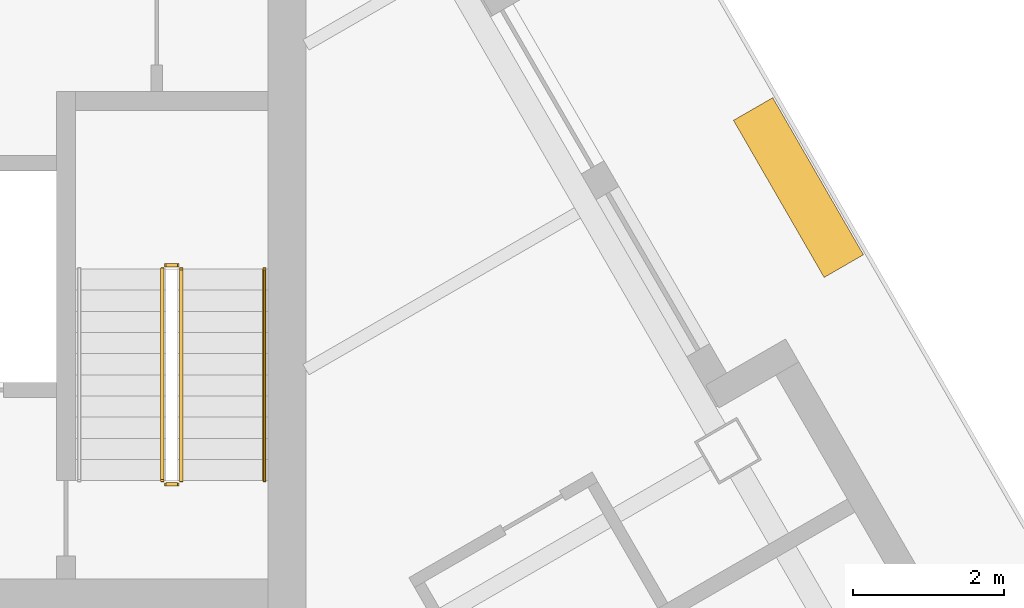
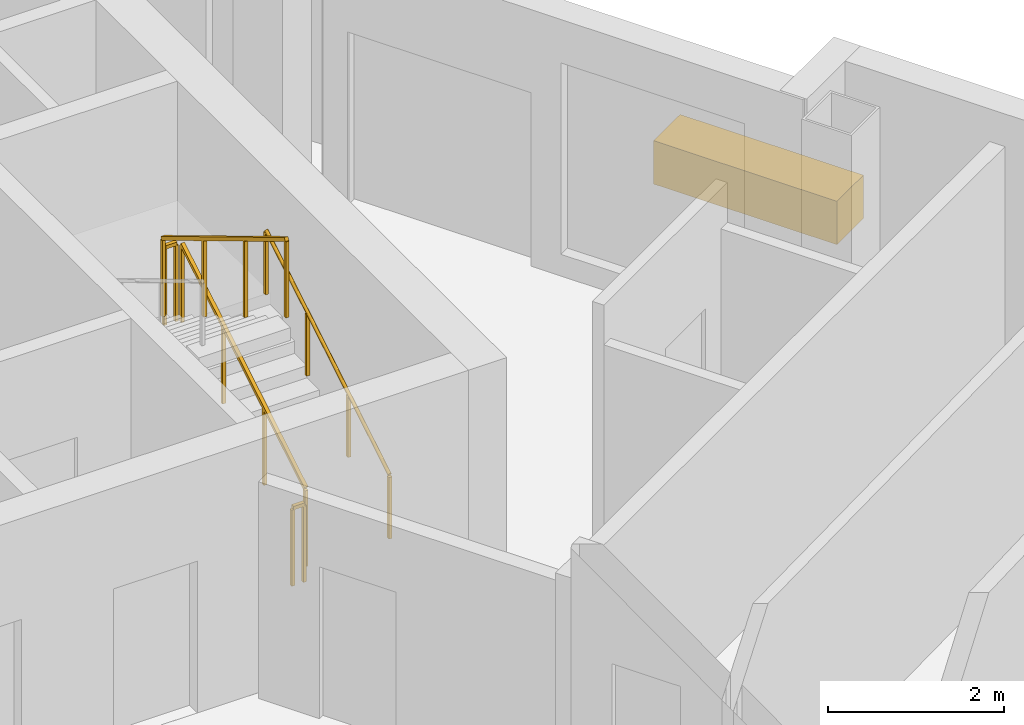
# One storey, part 13 of 13: 5 railings, 1 covering.
"""IFC4 building model written with IfcOpenShell, lengths in metres."""

from ifc_helpers import new_model, si_unit, direction, frame, origin, origin_2d, place, context, subcontext, project, spatial, rectangle, circle, extrude, material, type_object, element, save


model = new_model("IFC4")

# Units and contexts
model_context = context("Model", 3, precision=1e-05, world=origin(), true_north=direction((0.0, 1.0)))
body_context = subcontext(model_context, "Body", "Model", "MODEL_VIEW")
ifc_project = project(units=[si_unit("LENGTHUNIT", "METRE"), si_unit("AREAUNIT", "SQUARE_METRE"), si_unit("VOLUMEUNIT", "CUBIC_METRE"), si_unit("PLANEANGLEUNIT", "RADIAN"), si_unit("MASSUNIT", "GRAM", prefix="KILO")], contexts=[model_context])

# Site, building, storey
site_placement = place(None, origin())
site = spatial("IfcSite", under=ifc_project, at=site_placement, CompositionType="ELEMENT")
building_placement = place(site_placement, origin())
building = spatial("IfcBuilding", under=site, at=building_placement, Name="Apuvela Tower Hotel", CompositionType="ELEMENT")
storey_placement = place(building_placement, frame((0.0, 0.0, 272.60009765625)))
storey = spatial("IfcBuildingStorey", under=building, at=storey_placement, Name="L67", CompositionType="ELEMENT", Elevation=272.60009765625)

# Railings
ifc_material_1 = material(Name="Steel S275 balustrade", Category="steel")
railing_type_1 = type_object("IfcRailingType", Name="COR-GUARD-1100", PredefinedType="GUARDRAIL", material=ifc_material_1)
railing_1_placement = place(storey_placement, frame((3.85009765625, 14.60009765625, 0.16796875)))
element("IfcRailing", 1, at=railing_1_placement, inside=storey, type_object=railing_type_1, Name="L67 ST1 stair guard 1", PredefinedType="GUARDRAIL", context=body_context, shape_type="SweptSolid", body=[
    extrude(rectangle(XDim=0.048095703125, YDim=0.048095703125, at=origin_2d()), frame((0.0, 0.0, 1.076171875), z_axis=(0.0, 0.857222391501, 0.514946377315), x_axis=(-1.0, 0.0, 0.0)), (0.0, 0.0, 1.0), 3.26611328125),
    extrude(rectangle(XDim=0.0419921875, YDim=0.0419921875, at=origin_2d()), origin(), (0.0, 0.0, 1.0), 1.052001953125),
    extrude(rectangle(XDim=0.0419921875, YDim=0.0419921875, at=origin_2d()), frame((0.0, 0.933349609375, 0.560546875)), (0.0, 0.0, 1.0), 1.052001953125),
    extrude(rectangle(XDim=0.0419921875, YDim=0.0419921875, at=origin_2d()), frame((0.0, 1.866455078125, 1.121337890625)), (0.0, 0.0, 1.0), 1.052001953125),
    extrude(rectangle(XDim=0.0419921875, YDim=0.0419921875, at=origin_2d()), frame((0.0, 2.7998046875, 1.681884765625)), (0.0, 0.0, 1.0), 1.052001953125),
])
railing_2_placement = place(storey_placement, frame((3.800048828125, 17.449951171875, 1.849853515625)))
element("IfcRailing", 2, at=railing_2_placement, inside=storey, type_object=railing_type_1, Name="L67 ST1 stair guard 2", PredefinedType="GUARDRAIL", context=body_context, shape_type="SweptSolid", body=[
    extrude(rectangle(XDim=0.048095703125, YDim=0.048095703125, at=origin_2d()), frame((0.0, 0.0, 1.076171875), z_axis=(-1.0, 0.0, 0.0), x_axis=(0.0, -1.0, 0.0)), (0.0, 0.0, 1.0), 0.150146484375),
    extrude(rectangle(XDim=0.0419921875, YDim=0.0419921875, at=origin_2d()), origin(), (0.0, 0.0, 1.0), 1.052001953125),
    extrude(rectangle(XDim=0.0419921875, YDim=0.0419921875, at=origin_2d()), frame((-0.150146484375, 0.0, 0.0)), (0.0, 0.0, 1.0), 1.052001953125),
])
railing_3_placement = place(storey_placement, frame((3.60009765625, 17.39990234375, 2.01806640625)))
element("IfcRailing", 3, at=railing_3_placement, inside=storey, type_object=railing_type_1, Name="L67 ST1 stair guard 3", PredefinedType="GUARDRAIL", context=body_context, shape_type="SweptSolid", body=[
    extrude(rectangle(XDim=0.048095703125, YDim=0.048095703125, at=origin_2d()), frame((0.0, 0.0, 1.076171875), z_axis=(0.0, -0.857222391501, 0.514946377315), x_axis=(1.0, 0.0, 0.0)), (0.0, 0.0, 1.0), 3.26611328125),
    extrude(rectangle(XDim=0.0419921875, YDim=0.0419921875, at=origin_2d()), origin(), (0.0, 0.0, 1.0), 1.052001953125),
    extrude(rectangle(XDim=0.0419921875, YDim=0.0419921875, at=origin_2d()), frame((0.0, -0.933349609375, 0.560546875)), (0.0, 0.0, 1.0), 1.052001953125),
    extrude(rectangle(XDim=0.0419921875, YDim=0.0419921875, at=origin_2d()), frame((0.0, -1.866455078125, 1.121337890625)), (0.0, 0.0, 1.0), 1.052001953125),
    extrude(rectangle(XDim=0.0419921875, YDim=0.0419921875, at=origin_2d()), frame((0.0, -2.7998046875, 1.681884765625)), (0.0, 0.0, 1.0), 1.052001953125),
])
railing_4_placement = place(storey_placement, frame((3.800048828125, 14.550048828125, 0.0)))
element("IfcRailing", 4, at=railing_4_placement, inside=storey, type_object=railing_type_1, Name="L67 ST1 stair guard 4", PredefinedType="GUARDRAIL", context=body_context, shape_type="SweptSolid", body=[
    extrude(rectangle(XDim=0.048095703125, YDim=0.048095703125, at=origin_2d()), frame((0.0, 0.0, 1.076171875), z_axis=(-1.0, 0.0, 0.0), x_axis=(0.0, -1.0, 0.0)), (0.0, 0.0, 1.0), 0.150146484375),
    extrude(rectangle(XDim=0.0419921875, YDim=0.0419921875, at=origin_2d()), origin(), (0.0, 0.0, 1.0), 1.052001953125),
    extrude(rectangle(XDim=0.0419921875, YDim=0.0419921875, at=origin_2d()), frame((-0.150146484375, 0.0, 0.0)), (0.0, 0.0, 1.0), 1.052001953125),
])
ifc_material_2 = material(Name="Stainless steel 316 handrail", Category="steel")
railing_type_2 = type_object("IfcRailingType", Name="COR-HANDRAIL-900", PredefinedType="HANDRAIL", material=ifc_material_2)
railing_5_placement = place(storey_placement, frame((4.949951171875, 14.60009765625, 0.16796875)))
element("IfcRailing", 5, at=railing_5_placement, inside=storey, type_object=railing_type_2, Name="L67 ST1 stair handrail 1", PredefinedType="HANDRAIL", context=body_context, shape_type="SweptSolid", body=[
    extrude(circle(Radius=0.02392578125, at=origin_2d()), frame((0.0, 0.0, 0.8759765625), z_axis=(0.0, 0.857222391501, 0.514946377315), x_axis=(-1.0, 0.0, 0.0)), (0.0, 0.0, 1.0), 3.26611328125),
    extrude(rectangle(XDim=0.0419921875, YDim=0.0419921875, at=origin_2d()), origin(), (0.0, 0.0, 1.0), 0.851806640625),
    extrude(rectangle(XDim=0.0419921875, YDim=0.0419921875, at=origin_2d()), frame((0.0, 0.933349609375, 0.560546875)), (0.0, 0.0, 1.0), 0.851806640625),
    extrude(rectangle(XDim=0.0419921875, YDim=0.0419921875, at=origin_2d()), frame((0.0, 1.866455078125, 1.121337890625)), (0.0, 0.0, 1.0), 0.851806640625),
    extrude(rectangle(XDim=0.0419921875, YDim=0.0419921875, at=origin_2d()), frame((0.0, 2.7998046875, 1.681884765625)), (0.0, 0.0, 1.0), 0.851806640625),
])

# Covering
ifc_material_3 = material(Name="Planting substrate and soil, planted")
covering_type = type_object("IfcCoveringType", Name="ENV-PLANTER-2400x600", PredefinedType="USERDEFINED", material=ifc_material_3)
covering_placement = place(storey_placement, frame((12.01708984375, 18.4775390625, -0.000244140625), z_axis=(0.0, 0.0, 1.0), x_axis=(-0.5, 0.866025403784, 0.0)))
element("IfcCovering", 6, at=covering_placement, inside=storey, type_object=covering_type, Name="Planter NE4", ObjectType="PLANTER", PredefinedType="USERDEFINED", context=body_context, shape_type="SweptSolid", body=[
    extrude(rectangle(XDim=2.39990234375, YDim=0.60009765625, at=origin_2d()), origin(), (0.0, 0.0, 1.0), 0.60009765625),
])

save(model, "model.ifc")
